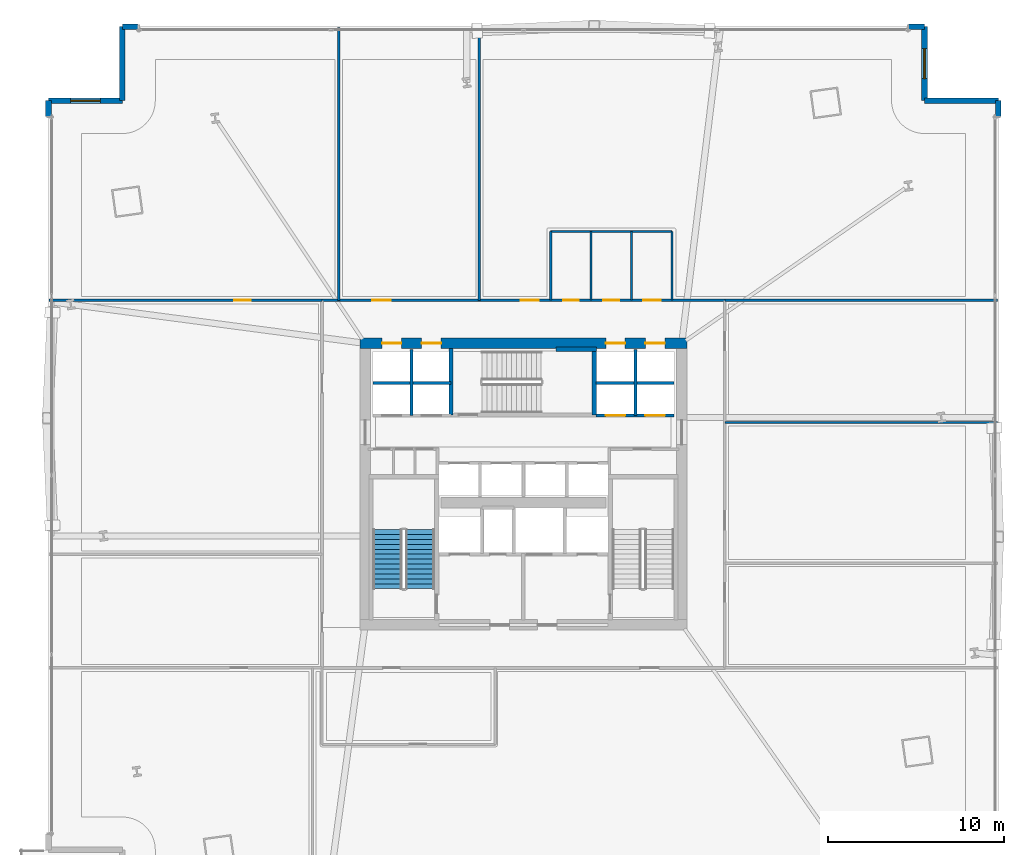
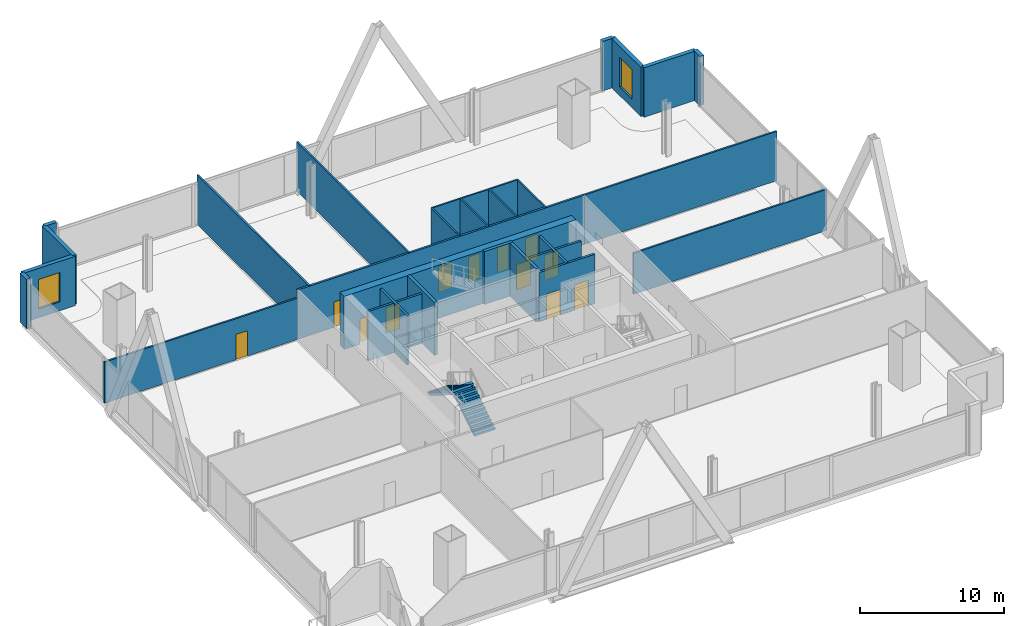
# One storey, part 22 of 29: 28 walls, 12 doors, 2 stair flights, 2 windows, 14 openings, 1 element without a shape of its own.
"""IFC4 building model written with IfcOpenShell, lengths in metres."""

from ifc_helpers import new_model, si_unit, direction, frame, frame_2d, origin, place, context, subcontext, project, spatial, polyline, rectangle, outline, extrude, material, layer, layer_set, type_object, element, fill, aggregate, save


model = new_model("IFC4")

# Units and contexts
model_context = context("Model", 3, precision=1e-05, world=origin(), true_north=direction((0.0, 1.0)))
body_context = subcontext(model_context, "Body", "Model", "MODEL_VIEW")
ifc_project = project(units=[si_unit("LENGTHUNIT", "METRE"), si_unit("AREAUNIT", "SQUARE_METRE"), si_unit("VOLUMEUNIT", "CUBIC_METRE"), si_unit("PLANEANGLEUNIT", "RADIAN"), si_unit("MASSUNIT", "GRAM", prefix="KILO")], contexts=[model_context])

# Site, building, storey
site_placement = place(None, origin())
site = spatial("IfcSite", under=ifc_project, at=site_placement, CompositionType="ELEMENT")
building_placement = place(site_placement, origin())
building = spatial("IfcBuilding", under=site, at=building_placement, Name="Haldenkirk Collegiate Tower", CompositionType="ELEMENT")
storey_placement = place(building_placement, frame((0.0, 0.0, 28.199951171875)))
storey = spatial("IfcBuildingStorey", under=building, at=storey_placement, Name="L05", CompositionType="ELEMENT", Elevation=28.199951171875)

# Wall, openings, doors
ifc_material_1 = material(Name="Concrete f'c 70 MPa", Category="concrete")
ifc_layer_1 = layer(ifc_material_1, 0.60009765625)
ifc_layer_set_1 = layer_set([ifc_layer_1], Name="Concrete f'c 70 MPa")
wall_type_1 = type_object("IfcWallType", Name="WL-CORE-600", PredefinedType="SHEAR", material=ifc_layer_set_1)
wall_1_placement = place(storey_placement, frame((26.699951171875, 34.0, 0.0), z_axis=(0.0, 0.0, 1.0), x_axis=(1.0, 0.0, 0.0)))
wall_1 = element("IfcWall", 1, at=wall_1_placement, inside=storey, type_object=wall_type_1, Name="L05 central core shear wall N", PredefinedType="SHEAR", context=body_context, shape_type="SweptSolid", body=[
    extrude(rectangle(XDim=18.60009765625, YDim=0.60009765625, at=frame_2d((9.300048828125, 0.0))), origin(), (0.0, 0.0, 1.0), 4.5),
])
opening_1_placement = place(wall_1_placement, frame((1.264892578125, 0.0, 0.0)))
opening_1 = element("IfcOpeningElement", 2, at=opening_1_placement, cuts=wall_1, Name="Opening LD-11", PredefinedType="OPENING", context=body_context, shape_type="SweptSolid", body=[
    extrude(rectangle(XDim=1.10009765625, YDim=2.14990234375, at=frame_2d((0.550048828125, 1.074951171875))), frame((0.0, 0.31005859375, 0.0), z_axis=(0.0, -1.0, 0.0), x_axis=(1.0, 0.0, 0.0)), (0.0, 0.0, 1.0), 0.6201171875),
])
opening_2_placement = place(wall_1_placement, frame((3.514892578125, 0.0, 0.0)))
opening_2 = element("IfcOpeningElement", 3, at=opening_2_placement, cuts=wall_1, Name="Opening LD-11", PredefinedType="OPENING", context=body_context, shape_type="SweptSolid", body=[
    extrude(rectangle(XDim=1.10009765625, YDim=2.14990234375, at=frame_2d((0.550048828125, 1.074951171875))), frame((0.0, 0.31005859375, 0.0), z_axis=(0.0, -1.0, 0.0), x_axis=(1.0, 0.0, 0.0)), (0.0, 0.0, 1.0), 0.6201171875),
])
opening_3_placement = place(wall_1_placement, frame((13.985107421875, 0.0, 0.0)))
opening_3 = element("IfcOpeningElement", 4, at=opening_3_placement, cuts=wall_1, Name="Opening LD-11", PredefinedType="OPENING", context=body_context, shape_type="SweptSolid", body=[
    extrude(rectangle(XDim=1.10009765625, YDim=2.14990234375, at=frame_2d((0.550048828125, 1.074951171875))), frame((0.0, 0.31005859375, 0.0), z_axis=(0.0, -1.0, 0.0), x_axis=(1.0, 0.0, 0.0)), (0.0, 0.0, 1.0), 0.6201171875),
])
opening_4_placement = place(wall_1_placement, frame((16.235107421875, 0.0, 0.0)))
opening_4 = element("IfcOpeningElement", 5, at=opening_4_placement, cuts=wall_1, Name="Opening LD-11", PredefinedType="OPENING", context=body_context, shape_type="SweptSolid", body=[
    extrude(rectangle(XDim=1.10009765625, YDim=2.14990234375, at=frame_2d((0.550048828125, 1.074951171875))), frame((0.0, 0.31005859375, 0.0), z_axis=(0.0, -1.0, 0.0), x_axis=(1.0, 0.0, 0.0)), (0.0, 0.0, 1.0), 0.6201171875),
])
ifc_material_2 = material(Name="Brushed architectural stainless steel", Category="steel")
ifc_layer_2 = layer(ifc_material_2, 0.06005859375)
ifc_layer_set_2 = layer_set([ifc_layer_2], Name="Brushed architectural stainless steel")
door_type_1 = type_object("IfcDoorType", Name="LD-PASS-1100", OperationType="NOTDEFINED", PredefinedType="DOOR", material=ifc_layer_set_2)
door_1_placement = place(opening_1_placement, origin())
door_1 = element("IfcDoor", 6, at=door_1_placement, inside=storey, type_object=door_type_1, Name="L05 Elevator PL3 sliding landing door", OperationType="SLIDING_TO_LEFT", OverallHeight=2.14990234375, OverallWidth=1.10009765625, PredefinedType="DOOR", context=body_context, shape_type="SweptSolid", body=[
    extrude(rectangle(XDim=1.10009765625, YDim=2.14990234375, at=frame_2d((0.550048828125, 1.074951171875))), frame((0.0, 0.02490234375, 0.0), z_axis=(0.0, -1.0, 0.0), x_axis=(1.0, 0.0, 0.0)), (0.0, 0.0, 1.0), 0.050048828125),
])
fill(opening_1, door_1)
door_2_placement = place(opening_2_placement, origin())
door_2 = element("IfcDoor", 7, at=door_2_placement, inside=storey, type_object=door_type_1, Name="L05 Elevator PL4 sliding landing door", OperationType="SLIDING_TO_LEFT", OverallHeight=2.14990234375, OverallWidth=1.10009765625, PredefinedType="DOOR", context=body_context, shape_type="SweptSolid", body=[
    extrude(rectangle(XDim=1.10009765625, YDim=2.14990234375, at=frame_2d((0.550048828125, 1.074951171875))), frame((0.0, 0.02490234375, 0.0), z_axis=(0.0, -1.0, 0.0), x_axis=(1.0, 0.0, 0.0)), (0.0, 0.0, 1.0), 0.050048828125),
])
fill(opening_2, door_2)
door_3_placement = place(opening_3_placement, origin())
door_3 = element("IfcDoor", 8, at=door_3_placement, inside=storey, type_object=door_type_1, Name="L05 Elevator PM3 sliding landing door", OperationType="SLIDING_TO_LEFT", OverallHeight=2.14990234375, OverallWidth=1.10009765625, PredefinedType="DOOR", context=body_context, shape_type="SweptSolid", body=[
    extrude(rectangle(XDim=1.10009765625, YDim=2.14990234375, at=frame_2d((0.550048828125, 1.074951171875))), frame((0.0, 0.02490234375, 0.0), z_axis=(0.0, -1.0, 0.0), x_axis=(1.0, 0.0, 0.0)), (0.0, 0.0, 1.0), 0.050048828125),
])
fill(opening_3, door_3)
door_4_placement = place(opening_4_placement, origin())
door_4 = element("IfcDoor", 9, at=door_4_placement, inside=storey, type_object=door_type_1, Name="L05 Elevator PM4 sliding landing door", OperationType="SLIDING_TO_LEFT", OverallHeight=2.14990234375, OverallWidth=1.10009765625, PredefinedType="DOOR", context=body_context, shape_type="SweptSolid", body=[
    extrude(rectangle(XDim=1.10009765625, YDim=2.14990234375, at=frame_2d((0.550048828125, 1.074951171875))), frame((0.0, 0.02490234375, 0.0), z_axis=(0.0, -1.0, 0.0), x_axis=(1.0, 0.0, 0.0)), (0.0, 0.0, 1.0), 0.050048828125),
])
fill(opening_4, door_4)

# Walls
ifc_material_3 = material(Name="Precast concrete f'c 40 MPa", Category="concrete")
ifc_layer_3 = layer(ifc_material_3, 0.320068359375)
ifc_layer_set_3 = layer_set([ifc_layer_3], Name="Precast concrete f'c 40 MPa")
wall_type_2 = type_object("IfcWallType", Name="WL-EXT-TWR-320", PredefinedType="STANDARD", material=ifc_layer_set_3)
wall_2_placement = place(storey_placement, frame((63.0, 47.800048828125, 0.0), z_axis=(0.0, 0.0, 1.0), x_axis=(0.0, -1.0, 0.0)))
element("IfcWall", 10, at=wall_2_placement, inside=storey, type_object=wall_type_2, Name="L05 precast corner pier EL", PredefinedType="STANDARD", context=body_context, shape_type="SweptSolid", body=[
    extrude(rectangle(XDim=0.900146484375, YDim=0.320068359375, at=frame_2d((0.4501953125, 0.0))), origin(), (0.0, 0.0, 1.0), 4.18994140625),
])
wall_3_placement = place(storey_placement, frame((58.800048828125, 47.800048828125, 0.0), z_axis=(0.0, 0.0, 1.0), x_axis=(1.0, 0.0, 0.0)))
element("IfcWall", 11, at=wall_3_placement, inside=storey, type_object=wall_type_2, Name="L05 bronze precast notch wall 05", PredefinedType="STANDARD", context=body_context, shape_type="SweptSolid", body=[
    extrude(rectangle(XDim=4.199951171875, YDim=0.320068359375, at=frame_2d((2.10009765625, 0.0))), origin(), (0.0, 0.0, 1.0), 4.18994140625),
])

# Wall, opening, window
wall_4_placement = place(storey_placement, frame((58.800048828125, 52.0, 0.0), z_axis=(0.0, 0.0, 1.0), x_axis=(0.0, -1.0, 0.0)))
wall_4 = element("IfcWall", 12, at=wall_4_placement, inside=storey, type_object=wall_type_2, Name="L05 bronze precast notch wall 06", PredefinedType="STANDARD", context=body_context, shape_type="SweptSolid", body=[
    extrude(rectangle(XDim=4.199951171875, YDim=0.320068359375, at=frame_2d((2.10009765625, 0.0))), origin(), (0.0, 0.0, 1.0), 4.18994140625),
])
opening_5_placement = place(wall_4_placement, frame((1.25, 0.0, 0.75)))
opening_5 = element("IfcOpeningElement", 13, at=opening_5_placement, cuts=wall_4, Name="Opening W-09", PredefinedType="OPENING", context=body_context, shape_type="SweptSolid", body=[
    extrude(rectangle(XDim=1.699951171875, YDim=2.5, at=frame_2d((0.85009765625, 1.25))), frame((0.0, 0.169921875, 0.0), z_axis=(0.0, -1.0, 0.0), x_axis=(1.0, 0.0, 0.0)), (0.0, 0.0, 1.0), 0.340087890625),
])
ifc_material_4 = material(Name="Low-E argon triple insulating glass", Category="glass")
ifc_layer_4 = layer(ifc_material_4, 0.090087890625)
ifc_layer_set_4 = layer_set([ifc_layer_4], Name="Low-E argon triple insulating glass")
window_type = type_object("IfcWindowType", Name="WN-SG-1700X2500", PartitioningType="SINGLE_PANEL", PredefinedType="WINDOW", material=ifc_layer_set_4)
window_1_placement = place(opening_5_placement, origin())
window_1 = element("IfcWindow", 14, at=window_1_placement, inside=storey, type_object=window_type, Name="L05 precast-frame academic window 5", OverallHeight=2.5, OverallWidth=1.699951171875, PartitioningType="SINGLE_PANEL", PredefinedType="WINDOW", context=body_context, shape_type="SweptSolid", body=[
    extrude(rectangle(XDim=1.699951171875, YDim=2.5, at=frame_2d((0.85009765625, 1.25))), frame((0.0, 0.030029296875, 0.0), z_axis=(0.0, -1.0, 0.0), x_axis=(1.0, 0.0, 0.0)), (0.0, 0.0, 1.0), 0.06005859375),
])
fill(opening_5, window_1)

# Walls
for number, where, z_axis, x_axis, name in (
    (15, (13.199951171875, 52.0, 0.0), (0.0, 0.0, 1.0), (1.0, 0.0, 0.0), "L05 precast corner pier NL"),
    (16, (57.89990234375, 52.0, 0.0), (0.0, 0.0, 1.0), (1.0, 0.0, 0.0), "L05 precast corner pier NR"),
):
    element("IfcWall", number, at=place(storey_placement, frame(where, z_axis=z_axis, x_axis=x_axis)), inside=storey, type_object=wall_type_2, Name=name, PredefinedType="STANDARD", context=body_context, shape_type="SweptSolid", body=[
        extrude(rectangle(XDim=0.900146484375, YDim=0.320068359375, at=frame_2d((0.4501953125, 0.0))), origin(), (0.0, 0.0, 1.0), 4.18994140625),
    ])
wall_5_placement = place(storey_placement, frame((13.199951171875, 47.800048828125, 0.0), z_axis=(0.0, 0.0, 1.0), x_axis=(0.0, 1.0, 0.0)))
element("IfcWall", 17, at=wall_5_placement, inside=storey, type_object=wall_type_2, Name="L05 bronze precast notch wall 08", PredefinedType="STANDARD", context=body_context, shape_type="SweptSolid", body=[
    extrude(rectangle(XDim=4.199951171875, YDim=0.320068359375, at=frame_2d((2.10009765625, 0.0))), origin(), (0.0, 0.0, 1.0), 4.18994140625),
])

# Wall, opening, window
wall_6_placement = place(storey_placement, frame((9.0, 47.800048828125, 0.0), z_axis=(0.0, 0.0, 1.0), x_axis=(1.0, 0.0, 0.0)))
wall_6 = element("IfcWall", 18, at=wall_6_placement, inside=storey, type_object=wall_type_2, Name="L05 bronze precast notch wall 09", PredefinedType="STANDARD", context=body_context, shape_type="SweptSolid", body=[
    extrude(rectangle(XDim=4.199951171875, YDim=0.320068359375, at=frame_2d((2.10009765625, 0.0))), origin(), (0.0, 0.0, 1.0), 4.18994140625),
])
opening_6_placement = place(wall_6_placement, frame((1.25, 0.0, 0.75)))
opening_6 = element("IfcOpeningElement", 19, at=opening_6_placement, cuts=wall_6, Name="Opening W-09", PredefinedType="OPENING", context=body_context, shape_type="SweptSolid", body=[
    extrude(rectangle(XDim=1.699951171875, YDim=2.5, at=frame_2d((0.85009765625, 1.25))), frame((0.0, 0.169921875, 0.0), z_axis=(0.0, -1.0, 0.0), x_axis=(1.0, 0.0, 0.0)), (0.0, 0.0, 1.0), 0.340087890625),
])
window_2_placement = place(opening_6_placement, origin())
window_2 = element("IfcWindow", 20, at=window_2_placement, inside=storey, type_object=window_type, Name="L05 precast-frame academic window 8", OverallHeight=2.5, OverallWidth=1.699951171875, PartitioningType="SINGLE_PANEL", PredefinedType="WINDOW", context=body_context, shape_type="SweptSolid", body=[
    extrude(rectangle(XDim=1.699951171875, YDim=2.5, at=frame_2d((0.85009765625, 1.25))), frame((0.0, 0.030029296875, 0.0), z_axis=(0.0, -1.0, 0.0), x_axis=(1.0, 0.0, 0.0)), (0.0, 0.0, 1.0), 0.06005859375),
])
fill(opening_6, window_2)

# Wall
wall_7_placement = place(storey_placement, frame((9.0, 46.89990234375, 0.0), z_axis=(0.0, 0.0, 1.0), x_axis=(0.0, 1.0, 0.0)))
element("IfcWall", 21, at=wall_7_placement, inside=storey, type_object=wall_type_2, Name="L05 precast corner pier WR", PredefinedType="STANDARD", context=body_context, shape_type="SweptSolid", body=[
    extrude(rectangle(XDim=0.900146484375, YDim=0.320068359375, at=frame_2d((0.4501953125, 0.0))), origin(), (0.0, 0.0, 1.0), 4.18994140625),
])

# Wall, openings, doors
ifc_material_5 = material(Name="Acoustic fire-rated gypsum partition", Category="concrete")
ifc_layer_5 = layer(ifc_material_5, 0.159912109375)
ifc_layer_set_5 = layer_set([ifc_layer_5], Name="Acoustic fire-rated gypsum partition")
wall_type_3 = type_object("IfcWallType", Name="WL-INT-CORR-160", PredefinedType="PARTITIONING", material=ifc_layer_set_5)
wall_8_placement = place(storey_placement, frame((24.5, 36.449951171875, 0.0), z_axis=(0.0, 0.0, 1.0), x_axis=(1.0, 0.0, 0.0)))
wall_8 = element("IfcWall", 22, at=wall_8_placement, inside=storey, type_object=wall_type_3, Name="L05 interior partition IW-L05-CN", PredefinedType="PARTITIONING", context=body_context, shape_type="SweptSolid", body=[
    extrude(rectangle(XDim=23.0, YDim=0.159912109375, at=frame_2d((11.5, 0.0))), origin(), (0.0, 0.0, 1.0), 4.18994140625),
])
opening_7_placement = place(wall_8_placement, frame((13.75, 0.0, 0.0)))
opening_7 = element("IfcOpeningElement", 23, at=opening_7_placement, cuts=wall_8, Name="Opening D-13", PredefinedType="OPENING", context=body_context, shape_type="SweptSolid", body=[
    extrude(rectangle(XDim=0.89990234375, YDim=2.14990234375, at=frame_2d((0.449951171875, 1.074951171875))), frame((0.0, 0.08984375, 0.0), z_axis=(0.0, -1.0, 0.0), x_axis=(1.0, 0.0, 0.0)), (0.0, 0.0, 1.0), 0.179931640625),
])
opening_8_placement = place(wall_8_placement, frame((16.050048828125, 0.0, 0.0)))
opening_8 = element("IfcOpeningElement", 24, at=opening_8_placement, cuts=wall_8, Name="Opening D-13", PredefinedType="OPENING", context=body_context, shape_type="SweptSolid", body=[
    extrude(rectangle(XDim=0.89990234375, YDim=2.14990234375, at=frame_2d((0.449951171875, 1.074951171875))), frame((0.0, 0.08984375, 0.0), z_axis=(0.0, -1.0, 0.0), x_axis=(1.0, 0.0, 0.0)), (0.0, 0.0, 1.0), 0.179931640625),
])
opening_9_placement = place(wall_8_placement, frame((18.300048828125, 0.0, 0.0)))
opening_9 = element("IfcOpeningElement", 25, at=opening_9_placement, cuts=wall_8, Name="Opening D-14", PredefinedType="OPENING", context=body_context, shape_type="SweptSolid", body=[
    extrude(rectangle(XDim=1.0, YDim=2.14990234375, at=frame_2d((0.5, 1.074951171875))), frame((0.0, 0.08984375, 0.0), z_axis=(0.0, -1.0, 0.0), x_axis=(1.0, 0.0, 0.0)), (0.0, 0.0, 1.0), 0.179931640625),
])
opening_10_placement = place(wall_8_placement, frame((2.9150390625, 0.0, 0.0)))
opening_10 = element("IfcOpeningElement", 26, at=opening_10_placement, cuts=wall_8, Name="Opening D-09", PredefinedType="OPENING", context=body_context, shape_type="SweptSolid", body=[
    extrude(rectangle(XDim=1.050048828125, YDim=2.14990234375, at=frame_2d((0.52490234375, 1.074951171875))), frame((0.0, 0.08984375, 0.0), z_axis=(0.0, -1.0, 0.0), x_axis=(1.0, 0.0, 0.0)), (0.0, 0.0, 1.0), 0.179931640625),
])
opening_11_placement = place(wall_8_placement, frame((11.3349609375, 0.0, 0.0)))
opening_11 = element("IfcOpeningElement", 27, at=opening_11_placement, cuts=wall_8, Name="Opening D-09", PredefinedType="OPENING", context=body_context, shape_type="SweptSolid", body=[
    extrude(rectangle(XDim=1.050048828125, YDim=2.14990234375, at=frame_2d((0.52490234375, 1.074951171875))), frame((0.0, 0.08984375, 0.0), z_axis=(0.0, -1.0, 0.0), x_axis=(1.0, 0.0, 0.0)), (0.0, 0.0, 1.0), 0.179931640625),
])
ifc_material_6 = material(Name="Solid-core architectural oak fire door", Category="wood")
ifc_layer_6 = layer(ifc_material_6, 0.06005859375)
ifc_layer_set_6 = layer_set([ifc_layer_6], Name="Solid-core architectural oak fire door")
door_type_2 = type_object("IfcDoorType", Name="DR-INT-ACC-1000", OperationType="NOTDEFINED", PredefinedType="DOOR", material=ifc_layer_set_6)
door_5_placement = place(opening_9_placement, origin())
door_5 = element("IfcDoor", 28, at=door_5_placement, inside=storey, type_object=door_type_2, Name="L05 Accessible WC door", OperationType="SINGLE_SWING_RIGHT", OverallHeight=2.14990234375, OverallWidth=1.0, PredefinedType="DOOR", context=body_context, shape_type="SweptSolid", body=[
    extrude(rectangle(XDim=1.0, YDim=2.14990234375, at=frame_2d((0.5, 1.074951171875))), frame((0.0, 0.02490234375, 0.0), z_axis=(0.0, -1.0, 0.0), x_axis=(1.0, 0.0, 0.0)), (0.0, 0.0, 1.0), 0.050048828125),
])
fill(opening_9, door_5)
ifc_layer_7 = layer(ifc_material_6, 0.06005859375)
ifc_layer_set_7 = layer_set([ifc_layer_7], Name="Solid-core architectural oak fire door")
door_type_3 = type_object("IfcDoorType", Name="DR-INT-FD60-1050", OperationType="NOTDEFINED", PredefinedType="DOOR", material=ifc_layer_set_7)
door_6_placement = place(opening_10_placement, origin())
door_6 = element("IfcDoor", 29, at=door_6_placement, inside=storey, type_object=door_type_3, Name="L05 Departmental Office 4 door", OperationType="SINGLE_SWING_RIGHT", OverallHeight=2.14990234375, OverallWidth=1.050048828125, PredefinedType="DOOR", context=body_context, shape_type="SweptSolid", body=[
    extrude(rectangle(XDim=1.050048828125, YDim=2.14990234375, at=frame_2d((0.52490234375, 1.074951171875))), frame((0.0, 0.02490234375, 0.0), z_axis=(0.0, -1.0, 0.0), x_axis=(1.0, 0.0, 0.0)), (0.0, 0.0, 1.0), 0.050048828125),
])
fill(opening_10, door_6)
door_7_placement = place(opening_11_placement, origin())
door_7 = element("IfcDoor", 30, at=door_7_placement, inside=storey, type_object=door_type_3, Name="L05 Visiting Scholar Office 5 door", OperationType="SINGLE_SWING_LEFT", OverallHeight=2.14990234375, OverallWidth=1.050048828125, PredefinedType="DOOR", context=body_context, shape_type="SweptSolid", body=[
    extrude(rectangle(XDim=1.050048828125, YDim=2.14990234375, at=frame_2d((0.52490234375, 1.074951171875))), frame((0.0, 0.02490234375, 0.0), z_axis=(0.0, -1.0, 0.0), x_axis=(1.0, 0.0, 0.0)), (0.0, 0.0, 1.0), 0.050048828125),
])
fill(opening_11, door_7)
ifc_layer_8 = layer(ifc_material_6, 0.06005859375)
ifc_layer_set_8 = layer_set([ifc_layer_8], Name="Solid-core architectural oak fire door")
door_type_4 = type_object("IfcDoorType", Name="DR-INT-STD-900", OperationType="NOTDEFINED", PredefinedType="DOOR", material=ifc_layer_set_8)
door_8_placement = place(opening_7_placement, origin())
door_8 = element("IfcDoor", 31, at=door_8_placement, inside=storey, type_object=door_type_4, Name="L05 Male WC door", OperationType="SINGLE_SWING_RIGHT", OverallHeight=2.14990234375, OverallWidth=0.89990234375, PredefinedType="DOOR", context=body_context, shape_type="SweptSolid", body=[
    extrude(rectangle(XDim=0.89990234375, YDim=2.14990234375, at=frame_2d((0.449951171875, 1.074951171875))), frame((0.0, 0.02490234375, 0.0), z_axis=(0.0, -1.0, 0.0), x_axis=(1.0, 0.0, 0.0)), (0.0, 0.0, 1.0), 0.050048828125),
])
fill(opening_7, door_8)
door_9_placement = place(opening_8_placement, origin())
door_9 = element("IfcDoor", 32, at=door_9_placement, inside=storey, type_object=door_type_4, Name="L05 Female WC door", OperationType="SINGLE_SWING_LEFT", OverallHeight=2.14990234375, OverallWidth=0.89990234375, PredefinedType="DOOR", context=body_context, shape_type="SweptSolid", body=[
    extrude(rectangle(XDim=0.89990234375, YDim=2.14990234375, at=frame_2d((0.449951171875, 1.074951171875))), frame((0.0, 0.02490234375, 0.0), z_axis=(0.0, -1.0, 0.0), x_axis=(1.0, 0.0, 0.0)), (0.0, 0.0, 1.0), 0.050048828125),
])
fill(opening_8, door_9)

# Wall, opening, door
ifc_layer_9 = layer(ifc_material_5, 0.139892578125)
ifc_layer_set_9 = layer_set([ifc_layer_9], Name="Acoustic fire-rated gypsum partition")
wall_type_4 = type_object("IfcWallType", Name="WL-INT-DIV-140", PredefinedType="PARTITIONING", material=ifc_layer_set_9)
wall_9_placement = place(storey_placement, frame((9.0400390625, 36.449951171875, 0.0), z_axis=(0.0, 0.0, 1.0), x_axis=(1.0, 0.0, 0.0)))
wall_9 = element("IfcWall", 33, at=wall_9_placement, inside=storey, type_object=wall_type_4, Name="L05 interior partition IW-L05-BWN", PredefinedType="PARTITIONING", context=body_context, shape_type="SweptSolid", body=[
    extrude(rectangle(XDim=15.510009765625, YDim=0.139892578125, at=frame_2d((7.7548828125, 0.0))), origin(), (0.0, 0.0, 1.0), 3.489013671875),
])
opening_12_placement = place(wall_9_placement, frame((10.510009765625, 0.0, 0.0)))
opening_12 = element("IfcOpeningElement", 34, at=opening_12_placement, cuts=wall_9, Name="Opening D-12", PredefinedType="OPENING", context=body_context, shape_type="SweptSolid", body=[
    extrude(rectangle(XDim=0.949951171875, YDim=2.14990234375, at=frame_2d((0.47509765625, 1.074951171875))), frame((0.0, 0.079833984375, 0.0), z_axis=(0.0, -1.0, 0.0), x_axis=(1.0, 0.0, 0.0)), (0.0, 0.0, 1.0), 0.159912109375),
])
ifc_layer_10 = layer(ifc_material_6, 0.06005859375)
ifc_layer_set_10 = layer_set([ifc_layer_10], Name="Solid-core architectural oak fire door")
door_type_5 = type_object("IfcDoorType", Name="DR-INT-STD-950", OperationType="NOTDEFINED", PredefinedType="DOOR", material=ifc_layer_set_10)
door_10_placement = place(opening_12_placement, origin())
door_10 = element("IfcDoor", 35, at=door_10_placement, inside=storey, type_object=door_type_5, Name="L05 Research Office 3 door", OperationType="SINGLE_SWING_LEFT", OverallHeight=2.14990234375, OverallWidth=0.949951171875, PredefinedType="DOOR", context=body_context, shape_type="SweptSolid", body=[
    extrude(rectangle(XDim=0.949951171875, YDim=2.14990234375, at=frame_2d((0.47509765625, 1.074951171875))), frame((0.0, 0.02490234375, 0.0), z_axis=(0.0, -1.0, 0.0), x_axis=(1.0, 0.0, 0.0)), (0.0, 0.0, 1.0), 0.050048828125),
])
fill(opening_12, door_10)

# Walls
for number, where, z_axis, x_axis, name in (
    (36, (47.449951171875, 36.449951171875, 0.0), (0.0, 0.0, 1.0), (1.0, 0.0, 0.0), "L05 interior partition IW-L05-BEN"),
    (37, (25.5, 36.449951171875, 0.0), (0.0, 0.0, 1.0), (0.0, 1.0, 0.0), "L05 interior partition IW-L05-RN1"),
    (38, (33.5, 36.449951171875, 0.0), (0.0, 0.0, 1.0), (0.0, 1.0, 0.0), "L05 interior partition IW-L05-RN2"),
):
    element("IfcWall", number, at=place(storey_placement, frame(where, z_axis=z_axis, x_axis=x_axis)), inside=storey, type_object=wall_type_4, Name=name, PredefinedType="PARTITIONING", context=body_context, shape_type="SweptSolid", body=[
        extrude(rectangle(XDim=15.510009765625, YDim=0.139892578125, at=frame_2d((7.7548828125, 0.0))), origin(), (0.0, 0.0, 1.0), 4.18994140625),
    ])
wall_10_placement = place(storey_placement, frame((47.449951171875, 29.5, 0.0), z_axis=(0.0, 0.0, 1.0), x_axis=(1.0, 0.0, 0.0)))
element("IfcWall", 39, at=wall_10_placement, inside=storey, type_object=wall_type_4, Name="L05 interior partition IW-L05-RE2", PredefinedType="PARTITIONING", context=body_context, shape_type="SweptSolid", body=[
    extrude(rectangle(XDim=15.510009765625, YDim=0.139892578125, at=frame_2d((7.7548828125, 0.0))), origin(), (0.0, 0.0, 1.0), 3.489013671875),
])
ifc_material_7 = material(Name="Fire-rated gypsum shaftboard assembly", Category="concrete")
ifc_layer_11 = layer(ifc_material_7, 0.179931640625)
ifc_layer_set_11 = layer_set([ifc_layer_11], Name="Fire-rated gypsum shaftboard assembly")
wall_type_5 = type_object("IfcWallType", Name="WL-INT-SHAFT-180", PredefinedType="PARTITIONING", material=ifc_layer_set_11)
wall_11_placement = place(storey_placement, frame((27.449951171875, 31.75, 0.0), z_axis=(0.0, 0.0, 1.0), x_axis=(1.0, 0.0, 0.0)))
element("IfcWall", 40, at=wall_11_placement, inside=storey, type_object=wall_type_5, Name="L05 interior partition IW-L05-PLM", PredefinedType="PARTITIONING", context=body_context, shape_type="SweptSolid", body=[
    extrude(rectangle(XDim=4.429931640625, YDim=0.179931640625, at=frame_2d((2.21484375, 0.0))), origin(), (0.0, 0.0, 1.0), 4.18994140625),
])
wall_12_placement = place(storey_placement, frame((29.6298828125, 29.89990234375, 0.0), z_axis=(0.0, 0.0, 1.0), x_axis=(0.0, 1.0, 0.0)))
element("IfcWall", 41, at=wall_12_placement, inside=storey, type_object=wall_type_5, Name="L05 interior partition IW-L05-PLV", PredefinedType="PARTITIONING", context=body_context, shape_type="SweptSolid", body=[
    extrude(rectangle(XDim=3.75, YDim=0.179931640625, at=frame_2d((1.875, 0.0))), origin(), (0.0, 0.0, 1.0), 4.18994140625),
])

# Wall, openings, doors
wall_13_placement = place(storey_placement, frame((40.1201171875, 29.89990234375, 0.0), z_axis=(0.0, 0.0, 1.0), x_axis=(1.0, 0.0, 0.0)))
wall_13 = element("IfcWall", 42, at=wall_13_placement, inside=storey, type_object=wall_type_5, Name="L05 interior partition IW-L05-PMS", PredefinedType="PARTITIONING", context=body_context, shape_type="SweptSolid", body=[
    extrude(rectangle(XDim=4.429931640625, YDim=0.179931640625, at=frame_2d((2.21484375, 0.0))), origin(), (0.0, 0.0, 1.0), 4.18994140625),
])
opening_13_placement = place(wall_13_placement, frame((0.56494140625, 0.0, 0.0)))
opening_13 = element("IfcOpeningElement", 43, at=opening_13_placement, cuts=wall_13, Name="Opening LD-11", PredefinedType="OPENING", context=body_context, shape_type="SweptSolid", body=[
    extrude(rectangle(XDim=1.10009765625, YDim=2.14990234375, at=frame_2d((0.550048828125, 1.074951171875))), frame((0.0, 0.099853515625, 0.0), z_axis=(0.0, -1.0, 0.0), x_axis=(1.0, 0.0, 0.0)), (0.0, 0.0, 1.0), 0.199951171875),
])
opening_14_placement = place(wall_13_placement, frame((2.81494140625, 0.0, 0.0)))
opening_14 = element("IfcOpeningElement", 44, at=opening_14_placement, cuts=wall_13, Name="Opening LD-11", PredefinedType="OPENING", context=body_context, shape_type="SweptSolid", body=[
    extrude(rectangle(XDim=1.10009765625, YDim=2.14990234375, at=frame_2d((0.550048828125, 1.074951171875))), frame((0.0, 0.099853515625, 0.0), z_axis=(0.0, -1.0, 0.0), x_axis=(1.0, 0.0, 0.0)), (0.0, 0.0, 1.0), 0.199951171875),
])
door_11_placement = place(opening_13_placement, origin())
door_11 = element("IfcDoor", 45, at=door_11_placement, inside=storey, type_object=door_type_1, Name="L05 Elevator PM1 sliding landing door", OperationType="SLIDING_TO_LEFT", OverallHeight=2.14990234375, OverallWidth=1.10009765625, PredefinedType="DOOR", context=body_context, shape_type="SweptSolid", body=[
    extrude(rectangle(XDim=1.10009765625, YDim=2.14990234375, at=frame_2d((0.550048828125, 1.074951171875))), frame((0.0, 0.02490234375, 0.0), z_axis=(0.0, -1.0, 0.0), x_axis=(1.0, 0.0, 0.0)), (0.0, 0.0, 1.0), 0.050048828125),
])
fill(opening_13, door_11)
door_12_placement = place(opening_14_placement, origin())
door_12 = element("IfcDoor", 46, at=door_12_placement, inside=storey, type_object=door_type_1, Name="L05 Elevator PM2 sliding landing door", OperationType="SLIDING_TO_LEFT", OverallHeight=2.14990234375, OverallWidth=1.10009765625, PredefinedType="DOOR", context=body_context, shape_type="SweptSolid", body=[
    extrude(rectangle(XDim=1.10009765625, YDim=2.14990234375, at=frame_2d((0.550048828125, 1.074951171875))), frame((0.0, 0.02490234375, 0.0), z_axis=(0.0, -1.0, 0.0), x_axis=(1.0, 0.0, 0.0)), (0.0, 0.0, 1.0), 0.050048828125),
])
fill(opening_14, door_12)

# Walls
wall_14_placement = place(storey_placement, frame((40.1201171875, 31.75, 0.0), z_axis=(0.0, 0.0, 1.0), x_axis=(1.0, 0.0, 0.0)))
element("IfcWall", 47, at=wall_14_placement, inside=storey, type_object=wall_type_5, Name="L05 interior partition IW-L05-PMM", PredefinedType="PARTITIONING", context=body_context, shape_type="SweptSolid", body=[
    extrude(rectangle(XDim=4.429931640625, YDim=0.179931640625, at=frame_2d((2.21484375, 0.0))), origin(), (0.0, 0.0, 1.0), 4.18994140625),
])
wall_15_placement = place(storey_placement, frame((42.3701171875, 29.89990234375, 0.0), z_axis=(0.0, 0.0, 1.0), x_axis=(0.0, 1.0, 0.0)))
element("IfcWall", 48, at=wall_15_placement, inside=storey, type_object=wall_type_5, Name="L05 interior partition IW-L05-PMV", PredefinedType="PARTITIONING", context=body_context, shape_type="SweptSolid", body=[
    extrude(rectangle(XDim=3.75, YDim=0.179931640625, at=frame_2d((1.875, 0.0))), origin(), (0.0, 0.0, 1.0), 4.18994140625),
])
ifc_layer_12 = layer(ifc_material_5, 0.1201171875)
ifc_layer_set_12 = layer_set([ifc_layer_12], Name="Acoustic fire-rated gypsum partition")
wall_type_6 = type_object("IfcWallType", Name="WL-INT-WET-120", PredefinedType="PARTITIONING", material=ifc_layer_set_12)
for number, where, z_axis, x_axis, name in (
    (49, (37.550048828125, 36.449951171875, 0.0), (0.0, 0.0, 1.0), (0.0, 1.0, 0.0), "L05 interior partition IW-L05-WCW"),
    (50, (39.85009765625, 36.449951171875, 0.0), (0.0, 0.0, 1.0), (0.0, 1.0, 0.0), "L05 interior partition IW-L05-WC1"),
    (51, (42.14990234375, 36.449951171875, 0.0), (0.0, 0.0, 1.0), (0.0, 1.0, 0.0), "L05 interior partition IW-L05-WC2"),
    (52, (44.449951171875, 36.449951171875, 0.0), (0.0, 0.0, 1.0), (0.0, 1.0, 0.0), "L05 interior partition IW-L05-WCE"),
):
    element("IfcWall", number, at=place(storey_placement, frame(where, z_axis=z_axis, x_axis=x_axis)), inside=storey, type_object=wall_type_6, Name=name, PredefinedType="PARTITIONING", context=body_context, shape_type="SweptSolid", body=[
        extrude(rectangle(XDim=3.900146484375, YDim=0.1201171875, at=frame_2d((1.9501953125, 0.0))), origin(), (0.0, 0.0, 1.0), 4.18994140625),
    ])
wall_16_placement = place(storey_placement, frame((37.550048828125, 40.35009765625, 0.0), z_axis=(0.0, 0.0, 1.0), x_axis=(1.0, 0.0, 0.0)))
element("IfcWall", 53, at=wall_16_placement, inside=storey, type_object=wall_type_6, Name="L05 interior partition IW-L05-WCB", PredefinedType="PARTITIONING", context=body_context, shape_type="SweptSolid", body=[
    extrude(rectangle(XDim=6.89990234375, YDim=0.1201171875, at=frame_2d((3.449951171875, 0.0))), origin(), (0.0, 0.0, 1.0), 4.18994140625),
])
ifc_material_8 = material(Name="Concrete f'c 55 MPa", Category="concrete")
ifc_layer_13 = layer(ifc_material_8, 0.239990234375)
ifc_layer_set_13 = layer_set([ifc_layer_13], Name="Concrete f'c 55 MPa")
wall_type_7 = type_object("IfcWallType", Name="WL-SHAFT-240", PredefinedType="SHEAR", material=ifc_layer_set_13)
wall_17_placement = place(storey_placement, frame((31.8798828125, 29.929931640625, 0.0), z_axis=(0.0, 0.0, 1.0), x_axis=(0.0, 1.0, 0.0)))
element("IfcWall", 54, at=wall_17_placement, inside=storey, type_object=wall_type_7, Name="L05 stair shaft shear wall SW-L05-ST3W", PredefinedType="SHEAR", context=body_context, shape_type="SweptSolid", body=[
    extrude(rectangle(XDim=3.7900390625, YDim=0.239990234375, at=frame_2d((1.89501953125, 0.0))), origin(), (0.0, 0.0, 1.0), 4.5),
])
wall_18_placement = place(storey_placement, frame((40.02001953125, 29.929931640625, 0.0), z_axis=(0.0, 0.0, 1.0), x_axis=(0.0, 1.0, 0.0)))
element("IfcWall", 55, at=wall_18_placement, inside=storey, type_object=wall_type_7, Name="L05 stair shaft shear wall SW-L05-ST3E", PredefinedType="SHEAR", context=body_context, shape_type="SweptSolid", body=[
    extrude(rectangle(XDim=3.85009765625, YDim=0.239990234375, at=frame_2d((1.925048828125, 0.0))), origin(), (0.0, 0.0, 1.0), 4.5),
])
wall_19_placement = place(storey_placement, frame((37.85009765625, 33.659912109375, 0.0), z_axis=(0.0, 0.0, 1.0), x_axis=(1.0, 0.0, 0.0)))
element("IfcWall", 56, at=wall_19_placement, inside=storey, type_object=wall_type_7, Name="L05 stair shaft shear wall SW-L05-ST3N", PredefinedType="SHEAR", context=body_context, shape_type="SweptSolid", body=[
    extrude(rectangle(XDim=2.289794921875, YDim=0.239990234375, at=frame_2d((1.14501953125, 0.0))), origin(), (0.0, 0.0, 1.0), 4.5),
])

# Stair, stair flights
ifc_material_9 = material(Name="Concrete f'c 40 MPa", Category="concrete")
stair_type = type_object("IfcStairType", Name="STR-DOGLEG-1650", PredefinedType="HALF_TURN_STAIR", material=ifc_material_9)
stair_placement = place(storey_placement, origin())
stair = element("IfcStair", 57, at=stair_placement, inside=storey, type_object=stair_type, Name="L05 Core Exit Stair ST-1", PredefinedType="HALF_TURN_STAIR")
stair_flight_type = type_object("IfcStairFlightType", Name="STF-FLIGHT-1650", PredefinedType="STRAIGHT", material=ifc_material_9)
stair_flight_1_placement = place(storey_placement, frame((30.125, 20.050048828125, 0.0), z_axis=(0.0, 0.0, 1.0), x_axis=(0.0, 1.0, 0.0)))
stair_flight_1 = element("IfcStairFlight", 58, at=stair_flight_1_placement, type_object=stair_flight_type, Name="ST-1 flight 1", NumberOfRisers=13, NumberOfTreads=12, PredefinedType="STRAIGHT", RiserHeight=0.173076923, TreadLength=0.28, context=body_context, shape_type="SweptSolid", body=[
    extrude(outline(polyline([(0.0, 0.0), (0.0, 0.173095703125), (0.280029296875, 0.173095703125), (0.280029296875, 0.34619140625), (0.56005859375, 0.34619140625), (0.56005859375, 0.519287109375), (0.840087890625, 0.519287109375), (0.840087890625, 0.6923828125), (1.1201171875, 0.6923828125), (1.1201171875, 0.865478515625), (1.39990234375, 0.865478515625), (1.39990234375, 1.03857421875), (1.679931640625, 1.03857421875), (1.679931640625, 1.21142578125), (1.9599609375, 1.21142578125), (1.9599609375, 1.384521484375), (2.239990234375, 1.384521484375), (2.239990234375, 1.5576171875), (2.52001953125, 1.5576171875), (2.52001953125, 1.730712890625), (2.800048828125, 1.730712890625), (2.800048828125, 1.90380859375), (3.080078125, 1.90380859375), (3.080078125, 2.076904296875), (3.360107421875, 2.076904296875), (3.360107421875, 2.25), (3.360107421875, 1.900634765625), (0.28515625, 0.0), (0.0, 0.0)])), frame((0.0, 0.824951171875, 0.0), z_axis=(0.0, -1.0, 0.0), x_axis=(1.0, 0.0, 0.0)), (0.0, 0.0, 1.0), 1.64990234375),
])
stair_flight_2_placement = place(storey_placement, frame((28.27490234375, 23.409912109375, 2.25), z_axis=(0.0, 0.0, 1.0), x_axis=(0.0, -1.0, 0.0)))
stair_flight_2 = element("IfcStairFlight", 59, at=stair_flight_2_placement, type_object=stair_flight_type, Name="ST-1 flight 2", NumberOfRisers=13, NumberOfTreads=12, PredefinedType="STRAIGHT", RiserHeight=0.173076923, TreadLength=0.28, context=body_context, shape_type="SweptSolid", body=[
    extrude(outline(polyline([(0.0, 0.0), (0.0, 0.173095703125), (0.280029296875, 0.173095703125), (0.280029296875, 0.34619140625), (0.56005859375, 0.34619140625), (0.56005859375, 0.519287109375), (0.840087890625, 0.519287109375), (0.840087890625, 0.6923828125), (1.1201171875, 0.6923828125), (1.1201171875, 0.865478515625), (1.39990234375, 0.865478515625), (1.39990234375, 1.03857421875), (1.679931640625, 1.03857421875), (1.679931640625, 1.21142578125), (1.9599609375, 1.21142578125), (1.9599609375, 1.384521484375), (2.239990234375, 1.384521484375), (2.239990234375, 1.5576171875), (2.52001953125, 1.5576171875), (2.52001953125, 1.730712890625), (2.800048828125, 1.730712890625), (2.800048828125, 1.90380859375), (3.080078125, 1.90380859375), (3.080078125, 2.076904296875), (3.360107421875, 2.076904296875), (3.360107421875, 2.25), (3.360107421875, 1.900634765625), (0.28515625, 0.0), (0.0, 0.0)])), frame((0.0, 0.824951171875, 0.0), z_axis=(0.0, -1.0, 0.0), x_axis=(1.0, 0.0, 0.0)), (0.0, 0.0, 1.0), 1.64990234375),
])
aggregate(stair, [stair_flight_1, stair_flight_2])

save(model, "model.ifc")
